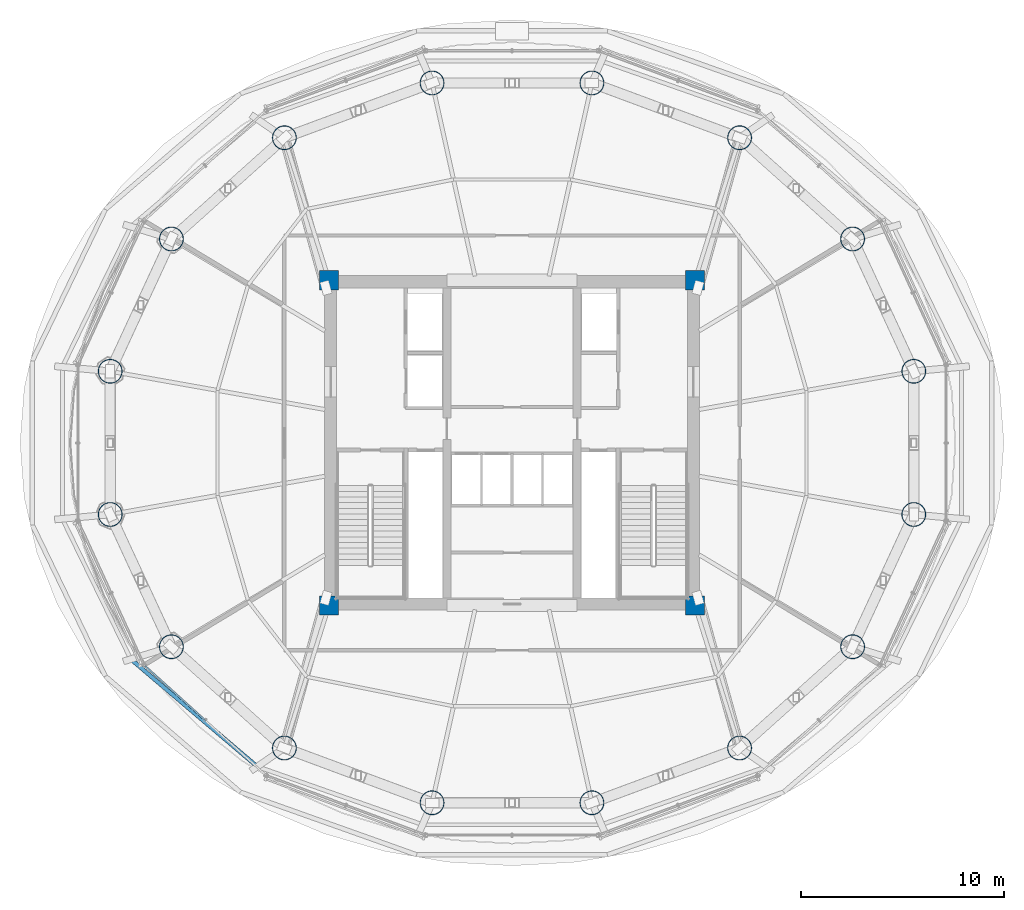
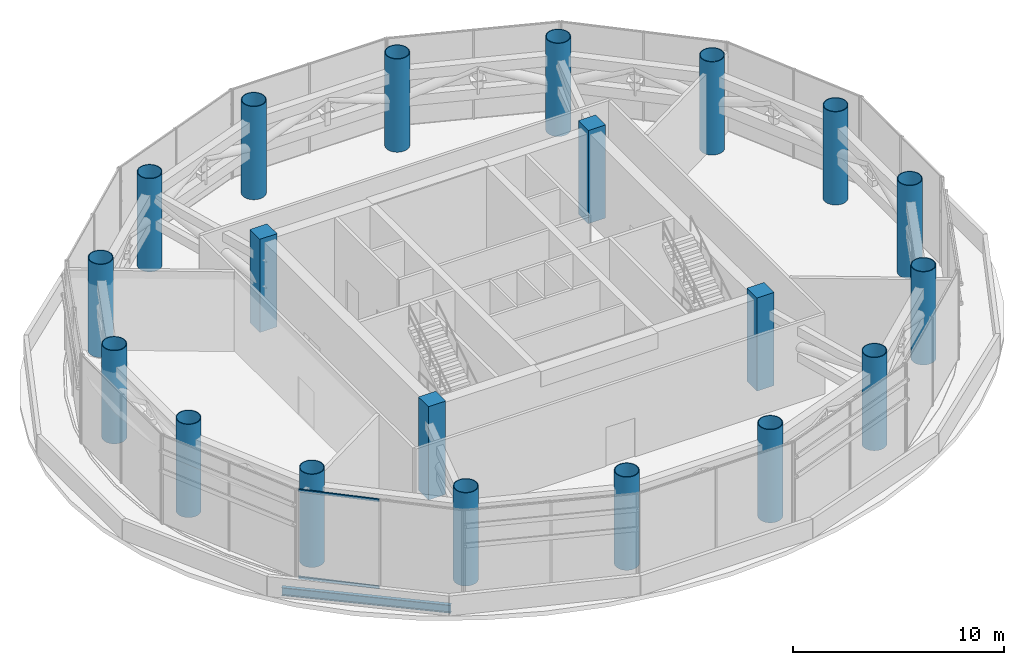
# One storey, part 1 of 25: 20 columns, 2 members, 1 beam, 1 element without a shape of its own.
"""IFC4 building model written with IfcOpenShell, lengths in metres."""

import ifcopenshell
import ifcopenshell.guid

model = None  # the IFC model being written
_history = None  # IfcOwnerHistory: only IFC2X3 demands one
_inside = {}  # id of a spatial element -> (the spatial element, [elements in it])
_under = {}  # id of a project, library or spatial element -> (it, [spatial elements below it])
_declared = {}  # id of a project -> (the project, [libraries it declares])
_typed = {}  # id of a type object -> (the type object, [elements of that type])
_made_of = {}  # id of a material, layer set ... -> (it, [elements and type objects made of it])


def new_model(schema):
    """Start an empty IFC model of exactly this schema.

    Asked for "IFC4X3", IfcOpenShell would pick the latest addendum, in which some entities
    have other attributes; the version numbers below select the first issue.
    IFC2X3 requires an IfcOwnerHistory on every rooted entity: one is made here for all.
    """
    global model, _history
    if schema == "IFC4X3":
        model = ifcopenshell.file(schema_version=(4, 3, 0, 0))
    else:
        model = ifcopenshell.file(schema=schema)
    _inside.clear()
    _under.clear()
    _declared.clear()
    _typed.clear()
    _made_of.clear()
    _history = None
    if model.schema == "IFC2X3":
        org = make("IfcOrganization", Name="unknown")
        user = make(
            "IfcPersonAndOrganization",
            ThePerson=make("IfcPerson", FamilyName="unknown"),
            TheOrganization=org,
        )
        app = make(
            "IfcApplication",
            ApplicationDeveloper=org,
            Version="unknown",
            ApplicationFullName="unknown",
            ApplicationIdentifier="unknown",
        )
        _history = make(
            "IfcOwnerHistory",
            OwningUser=user,
            OwningApplication=app,
            ChangeAction="ADDED",
            CreationDate=0,
        )
    return model


def make(cls, **values):
    """One entity of the class cls with the attributes given. An attribute that is None is left unset."""
    return model.create_entity(
        cls, **{name: value for name, value in values.items() if value is not None}
    )


def rooted(cls, **values):
    """An entity with a GlobalId (a new one), such as an element, a storey or a relation."""
    return make(cls, GlobalId=ifcopenshell.guid.new(), OwnerHistory=_history, **values)


def si_unit(unit_type, name, prefix=None):
    """IfcSIUnit, for example si_unit("LENGTHUNIT", "METRE", prefix="MILLI")."""
    return make("IfcSIUnit", UnitType=unit_type, Prefix=prefix, Name=name)


def assignment(units):
    """IfcUnitAssignment: the units of a project."""
    return None if units is None else make("IfcUnitAssignment", Units=units)


def point(xyz):
    """IfcCartesianPoint."""
    return None if xyz is None else make("IfcCartesianPoint", Coordinates=xyz)


def direction(xyz):
    """IfcDirection."""
    return None if xyz is None else make("IfcDirection", DirectionRatios=xyz)


def frame(location, z_axis=None, x_axis=None):
    """IfcAxis2Placement3D, a coordinate frame: its origin and axes. An axis left out is left unset."""
    return make(
        "IfcAxis2Placement3D",
        Location=point(location),
        Axis=direction(z_axis),
        RefDirection=direction(x_axis),
    )


def frame_2d(location, x_axis=None):
    """IfcAxis2Placement2D, a coordinate frame in the plane: its origin and x axis."""
    return make(
        "IfcAxis2Placement2D", Location=point(location), RefDirection=direction(x_axis)
    )


def origin():
    """The frame at (0, 0, 0) with its axes left unset."""
    return frame((0.0, 0.0, 0.0))


def origin_2d():
    """The frame at (0, 0) in the plane with its x axis left unset."""
    return frame_2d((0.0, 0.0))


def place(relative_to, where):
    """IfcLocalPlacement: puts the frame where relative to a parent placement (None: the world)."""
    return make(
        "IfcLocalPlacement", PlacementRelTo=relative_to, RelativePlacement=where
    )


def context(
    kind, dimensions, precision=None, world=None, true_north=None, identifier=None
):
    """IfcGeometricRepresentationContext, for example the 3D "Model" context."""
    return make(
        "IfcGeometricRepresentationContext",
        ContextIdentifier=identifier,
        ContextType=kind,
        CoordinateSpaceDimension=dimensions,
        Precision=precision,
        WorldCoordinateSystem=world,
        TrueNorth=true_north,
    )


def subcontext(parent, identifier, kind, view, scale=None):
    """IfcGeometricRepresentationSubContext, for example "Body" below "Model"."""
    return make(
        "IfcGeometricRepresentationSubContext",
        ContextIdentifier=identifier,
        ContextType=kind,
        ParentContext=parent,
        TargetScale=scale,
        TargetView=view,
    )


def project(units=None, contexts=None):
    """IfcProject with its units and contexts."""
    return rooted(
        "IfcProject",
        Name="project",
        RepresentationContexts=contexts,
        UnitsInContext=assignment(units),
    )


def spatial(cls, under=None, at=None, **own):
    """A site, building, storey or space (cls), placed at a placement, below another one or the project."""
    s = rooted(cls, ObjectPlacement=at, **own)
    if under is not None:
        _under.setdefault(under.id(), (under, []))[1].append(s)
    return s


def profile(cls, at=None, kind="AREA", **sizes):
    """A parametric profile (cls). Its sizes go by their IFC names, for example OverallWidth=200.0."""
    return make(cls, ProfileType=kind, Position=at, **sizes)


def rectangle(**sizes):
    """IfcRectangleProfileDef."""
    return profile("IfcRectangleProfileDef", **sizes)


def hollow_rectangle(**sizes):
    """IfcRectangleHollowProfileDef."""
    return profile("IfcRectangleHollowProfileDef", **sizes)


def hollow_circle(**sizes):
    """IfcCircleHollowProfileDef."""
    return profile("IfcCircleHollowProfileDef", **sizes)


def i_section(**sizes):
    """IfcIShapeProfileDef."""
    return profile("IfcIShapeProfileDef", **sizes)


def extrude(swept, where, along, depth):
    """IfcExtrudedAreaSolid: the profile swept, set in the frame where, extruded along a direction by depth."""
    return make(
        "IfcExtrudedAreaSolid",
        SweptArea=swept,
        Position=where,
        ExtrudedDirection=direction(along),
        Depth=depth,
    )


def shape(context_of_items, identifier, shape_type, items):
    """IfcShapeRepresentation: the items that make up one representation, for example the "Body"."""
    return make(
        "IfcShapeRepresentation",
        ContextOfItems=context_of_items,
        RepresentationIdentifier=identifier,
        RepresentationType=shape_type,
        Items=items,
    )


def source(mapping_origin, context_of_items, identifier, shape_type, items):
    """IfcRepresentationMap: a shape defined once, which mapped items show again and again."""
    return make(
        "IfcRepresentationMap",
        MappingOrigin=mapping_origin,
        MappedRepresentation=shape(context_of_items, identifier, shape_type, items),
    )


def transform(
    local_origin,
    x_axis=None,
    y_axis=None,
    z_axis=None,
    scale=None,
    scale2=None,
    scale3=None,
    uniform=True,
):
    """IfcCartesianTransformationOperator3D, or its non-uniform kind. x_axis, y_axis, z_axis: its Axis1, 2, 3."""
    if uniform:
        return make(
            "IfcCartesianTransformationOperator3D",
            Axis1=direction(x_axis),
            Axis2=direction(y_axis),
            LocalOrigin=point(local_origin),
            Scale=scale,
            Axis3=direction(z_axis),
        )
    return make(
        "IfcCartesianTransformationOperator3DnonUniform",
        Axis1=direction(x_axis),
        Axis2=direction(y_axis),
        LocalOrigin=point(local_origin),
        Scale=scale,
        Axis3=direction(z_axis),
        Scale2=scale2,
        Scale3=scale3,
    )


def mapped(mapping_source, mapping_target):
    """IfcMappedItem: shows the shape of a source again, moved by a transform."""
    return make(
        "IfcMappedItem", MappingSource=mapping_source, MappingTarget=mapping_target
    )


def material(Name=None, Category=None):
    """IfcMaterial."""
    return make("IfcMaterial", Name=Name, Category=Category)


def material_profile(
    of_material, cross_section, Name=None, Category=None, Priority=None
):
    """IfcMaterialProfile: a cross section and its material."""
    return make(
        "IfcMaterialProfile",
        Name=Name,
        Material=of_material,
        Profile=cross_section,
        Priority=Priority,
        Category=Category,
    )


def profile_set(profiles, Name=None, composite=None):
    """IfcMaterialProfileSet."""
    return make(
        "IfcMaterialProfileSet",
        Name=Name,
        MaterialProfiles=profiles,
        CompositeProfile=composite,
    )


def made_of(thing, what):
    """Note that an element or type object is made of a material, layer set ...; save() writes the relation."""
    if what is not None:
        _made_of.setdefault(what.id(), (what, []))[1].append(thing)
    return thing


def type_object(cls, material=None, **own):
    """A type object (cls), such as IfcWallType, which elements share."""
    return made_of(rooted(cls, **own), material)


def element(
    cls,
    number,
    at=None,
    inside=None,
    cuts=None,
    type_object=None,
    material=None,
    context=None,
    identifier="Body",
    shape_type=None,
    held_by="IfcProductDefinitionShape",
    body=None,
    shapes=None,
    **own,
):
    """One element of the class cls, such as IfcWall. Its Tag is "e" and its number.

    at: its placement. inside: the storey or other place that contains it. cuts: it is an
    opening in that element (IfcRelVoidsElement). A single representation is given by context,
    identifier, shape_type and body (its items); several are given by shapes. held_by: the class
    of the entity that holds the representations. save() writes the other relations.
    """
    e = rooted(cls, Tag="e%d" % number, ObjectPlacement=at, **own)
    if body is not None:
        shapes = [shape(context, identifier, shape_type, body)]
    if shapes is not None:
        e.Representation = make(held_by, Representations=shapes)
    if inside is not None:
        _inside.setdefault(inside.id(), (inside, []))[1].append(e)
    if cuts is not None:
        rooted(
            "IfcRelVoidsElement", RelatingBuildingElement=cuts, RelatedOpeningElement=e
        )
    if type_object is not None:
        _typed.setdefault(type_object.id(), (type_object, []))[1].append(e)
    return made_of(e, material)


def aggregate(whole, parts):
    """IfcRelAggregates: a whole, such as a stair, and the parts it consists of."""
    return rooted("IfcRelAggregates", RelatingObject=whole, RelatedObjects=parts)


def save(model, path):
    """Write the relations noted so far, then the file.

    IfcRelAggregates (storeys below a building ...), IfcRelContainedInSpatialStructure (elements
    in a storey), IfcRelDefinesByType, IfcRelAssociatesMaterial and IfcRelDeclares: one each for
    every whole, place, type object, material and project.
    """
    for whole, parts in _under.values():
        aggregate(whole, parts)
    for where, things in _inside.values():
        rooted(
            "IfcRelContainedInSpatialStructure",
            RelatedElements=things,
            RelatingStructure=where,
        )
    for kind, things in _typed.values():
        rooted("IfcRelDefinesByType", RelatedObjects=things, RelatingType=kind)
    for what, things in _made_of.values():
        rooted("IfcRelAssociatesMaterial", RelatedObjects=things, RelatingMaterial=what)
    for by, libraries in _declared.values():
        rooted("IfcRelDeclares", RelatingContext=by, RelatedDefinitions=libraries)
    model.write(path)


model = new_model("IFC4")

# Units and contexts
model_context = context("Model", 3, precision=1e-05, world=origin(), true_north=direction((-0.2419218956, 0.970295726276)))
body_context = subcontext(model_context, "Body", "Model", "MODEL_VIEW")
ifc_project = project(units=[si_unit("LENGTHUNIT", "METRE"), si_unit("AREAUNIT", "SQUARE_METRE"), si_unit("VOLUMEUNIT", "CUBIC_METRE"), si_unit("PLANEANGLEUNIT", "RADIAN"), si_unit("MASSUNIT", "GRAM", prefix="KILO")], contexts=[model_context])

# Site, building, storey
site_placement = place(None, origin())
site = spatial("IfcSite", under=ifc_project, at=site_placement, CompositionType="ELEMENT")
building_placement = place(site_placement, origin())
building = spatial("IfcBuilding", under=site, at=building_placement, Name="Cobrevalo Terracotta Tower", CompositionType="ELEMENT")
storey_placement = place(building_placement, frame((0.0, 0.0, 185.800048828125)))
storey = spatial("IfcBuildingStorey", under=building, at=storey_placement, Name="L49", CompositionType="ELEMENT", Elevation=185.800048828125)

# Columns
ifc_material_1 = material(Name="Steel S355", Category="steel")
ifc_material_profile_1 = material_profile(ifc_material_1, hollow_circle(Radius=0.60009765625, WallThickness=0.0380859375, at=origin_2d()), Name="CHS 1200x38")
ifc_profile_set_1 = profile_set([ifc_material_profile_1], Name="Steel S355")
column_type_1 = type_object("IfcColumnType", Name="Structural Column CHS 1200x38 (Steel S355)", PredefinedType="COLUMN", material=ifc_profile_set_1)
for number, where, z_axis, x_axis, name in (
    (1, (57.762939453125, 30.3212890625, 0.0), (0.0, 0.0, 1.0), (1.0, 0.0, 0.0), "L49 composite megacolumn MC01"),
    (2, (54.754150390625, 36.828125, 0.0), (0.0, 0.0, 1.0), (1.0, 0.0, 0.0), "L49 composite megacolumn MC02"),
    (3, (49.19482421875, 41.80810546875, 0.0), (0.0, 0.0, 1.0), (1.0, 0.0, 0.0), "L49 composite megacolumn MC03"),
    (4, (41.93115234375, 44.503173828125, 0.0), (0.0, 0.0, 1.0), (1.0, 0.0, 0.0), "L49 composite megacolumn MC04"),
    (5, (34.06884765625, 44.503173828125, 0.0), (0.0, 0.0, 1.0), (1.0, 0.0, 0.0), "L49 composite megacolumn MC05"),
    (6, (26.80517578125, 41.80810546875, 0.0), (0.0, 0.0, 1.0), (1.0, 0.0, 0.0), "L49 composite megacolumn MC06"),
    (7, (21.245849609375, 36.828125, 0.0), (0.0, 0.0, 1.0), (1.0, 0.0, 0.0), "L49 composite megacolumn MC07"),
    (8, (18.237060546875, 30.3212890625, 0.0), (0.0, 0.0, 1.0), (1.0, 0.0, 0.0), "L49 composite megacolumn MC08"),
    (9, (18.237060546875, 23.278564453125, 0.0), (0.0, 0.0, 1.0), (1.0, 0.0, 0.0), "L49 composite megacolumn MC09"),
    (10, (21.245849609375, 16.77197265625, 0.0), (0.0, 0.0, 1.0), (1.0, 0.0, 0.0), "L49 composite megacolumn MC10"),
    (11, (26.80517578125, 11.7919921875, 0.0), (0.0, 0.0, 1.0), (1.0, 0.0, 0.0), "L49 composite megacolumn MC11"),
    (12, (34.06884765625, 9.096923828125, 0.0), (0.0, 0.0, 1.0), (1.0, 0.0, 0.0), "L49 composite megacolumn MC12"),
    (13, (41.93115234375, 9.096923828125, 0.0), (0.0, 0.0, 1.0), (1.0, 0.0, 0.0), "L49 composite megacolumn MC13"),
    (14, (49.19482421875, 11.7919921875, 0.0), (0.0, 0.0, 1.0), (1.0, 0.0, 0.0), "L49 composite megacolumn MC14"),
    (15, (54.754150390625, 16.77197265625, 0.0), (0.0, 0.0, 1.0), (1.0, 0.0, 0.0), "L49 composite megacolumn MC15"),
    (16, (57.762939453125, 23.278564453125, 0.0), (0.0, 0.0, 1.0), (1.0, 0.0, 0.0), "L49 composite megacolumn MC16"),
):
    element("IfcColumn", number, at=place(storey_placement, frame(where, z_axis=z_axis, x_axis=x_axis)), inside=storey, type_object=column_type_1, Name=name, PredefinedType="COLUMN", context=body_context, shape_type="SweptSolid", body=[
        extrude(hollow_circle(Radius=0.60009765625, WallThickness=0.0380859375, at=origin_2d()), origin(), (0.0, 0.0, 1.0), 5.39990234375),
    ])
ifc_material_2 = material(Name="Concrete C55", Category="concrete")
ifc_material_profile_2 = material_profile(ifc_material_2, rectangle(XDim=0.949951171875, YDim=0.949951171875, at=origin_2d()), Name="RC COL 950x950")
ifc_profile_set_2 = profile_set([ifc_material_profile_2], Name="Concrete C55")
column_type_2 = type_object("IfcColumnType", Name="Structural Column RC COL 950x950 (Concrete C55)", PredefinedType="COLUMN", material=ifc_profile_set_2)
for number, where, z_axis, x_axis, name in (
    (17, (29.0, 18.800048828125, 0.0), (0.0, 0.0, 1.0), (1.0, 0.0, 0.0), "L49 core corner column CC1"),
    (18, (47.0, 18.800048828125, 0.0), (0.0, 0.0, 1.0), (1.0, 0.0, 0.0), "L49 core corner column CC2"),
    (19, (47.0, 34.800048828125, 0.0), (0.0, 0.0, 1.0), (1.0, 0.0, 0.0), "L49 core corner column CC3"),
    (20, (29.0, 34.800048828125, 0.0), (0.0, 0.0, 1.0), (1.0, 0.0, 0.0), "L49 core corner column CC4"),
):
    element("IfcColumn", number, at=place(storey_placement, frame(where, z_axis=z_axis, x_axis=x_axis)), inside=storey, type_object=column_type_2, Name=name, PredefinedType="COLUMN", context=body_context, shape_type="SweptSolid", body=[
        extrude(rectangle(XDim=0.949951171875, YDim=0.949951171875, at=origin_2d()), origin(), (0.0, 0.0, 1.0), 5.39990234375),
    ])

# Beam
ifc_material_profile_3 = material_profile(ifc_material_1, i_section(OverallWidth=0.194091796875, OverallDepth=0.468994140625, WebThickness=0.011474609375, FlangeThickness=0.0205078125, at=origin_2d()), Name="W 460x106")
ifc_profile_set_3 = profile_set([ifc_material_profile_3], Name="Steel S355")
beam_type = type_object("IfcBeamType", Name="Structural Spandrel W 460x106 (Steel S355)", PredefinedType="SPANDREL", material=ifc_profile_set_3)
beam_placement = place(storey_placement, frame((19.250244140625, 16.160888671875, -0.6845703125), z_axis=(0.762240337798, -0.647294112003, 0.0), x_axis=(0.647294112003, 0.762240337798, 0.0)))
element("IfcBeam", 21, at=beam_placement, inside=storey, type_object=beam_type, Name="L49 perimeter ring spandrel 10", PredefinedType="SPANDREL", context=body_context, shape_type="SweptSolid", body=[
    extrude(i_section(OverallWidth=0.194091796875, OverallDepth=0.468994140625, WebThickness=0.011474609375, FlangeThickness=0.0205078125, at=origin_2d()), origin(), (0.0, 0.0, 1.0), 8.162353515625),
])

# Curtain wall, members
ifc_material_3 = material(Name="Anodized aluminium", Category="aluminium")
curtain_wall_type = type_object("IfcCurtainWallType", Name="Belt-truss plant acoustic weather-louvre curtain wall CW-LV", PredefinedType="NOTDEFINED", material=ifc_material_3)
curtain_wall_placement = place(storey_placement, origin())
curtain_wall = element("IfcCurtainWall", 22, at=curtain_wall_placement, inside=storey, type_object=curtain_wall_type, Name="L49 curtain wall CW-LV-L49-S10", PredefinedType="NOTDEFINED")
ifc_material_profile_4 = material_profile(ifc_material_3, hollow_rectangle(XDim=0.074951171875, YDim=0.14990234375, WallThickness=0.00439453125, at=origin_2d()), Name="CWT 75x150")
ifc_profile_set_4 = profile_set([ifc_material_profile_4], Name="Anodized aluminium")
member_type = type_object("IfcMemberType", Name="Tower unitised aluminium transom 75x150", PredefinedType="USERDEFINED", material=ifc_profile_set_4)
shared_shape = source(origin(), body_context, "Body", "SweptSolid", [
    extrude(hollow_rectangle(XDim=0.074951171875, YDim=0.14990234375, WallThickness=0.00439453125, at=origin_2d()), origin(), (0.0, 0.0, 1.0), 3.927490234375),
])
member_1_placement = place(storey_placement, frame((19.958251953125, 15.818359375, 0.050048828125), z_axis=(0.741975952623, -0.670426495396, 0.0), x_axis=(0.670426495396, 0.741975952623, 0.0)))
member_1 = element("IfcMember", 23, at=member_1_placement, type_object=member_type, Name="CW-LV-L49-S10 transom B01-T1", ObjectType="TRANSOM", PredefinedType="USERDEFINED", context=body_context, shape_type="MappedRepresentation", body=[
    mapped(shared_shape, transform((0.0, 0.0, 0.0), scale=1.0)),
])
member_2_placement = place(storey_placement, frame((19.958251953125, 15.818359375, 5.0849609375), z_axis=(0.741975952623, -0.670426495396, 0.0), x_axis=(0.670426495396, 0.741975952623, 0.0)))
member_2 = element("IfcMember", 24, at=member_2_placement, type_object=member_type, Name="CW-LV-L49-S10 transom B01-T2", ObjectType="TRANSOM", PredefinedType="USERDEFINED", context=body_context, shape_type="MappedRepresentation", body=[
    mapped(shared_shape, transform((0.0, 0.0, 0.0), scale=1.0)),
])
aggregate(curtain_wall, [member_1, member_2])

save(model, "model.ifc")
